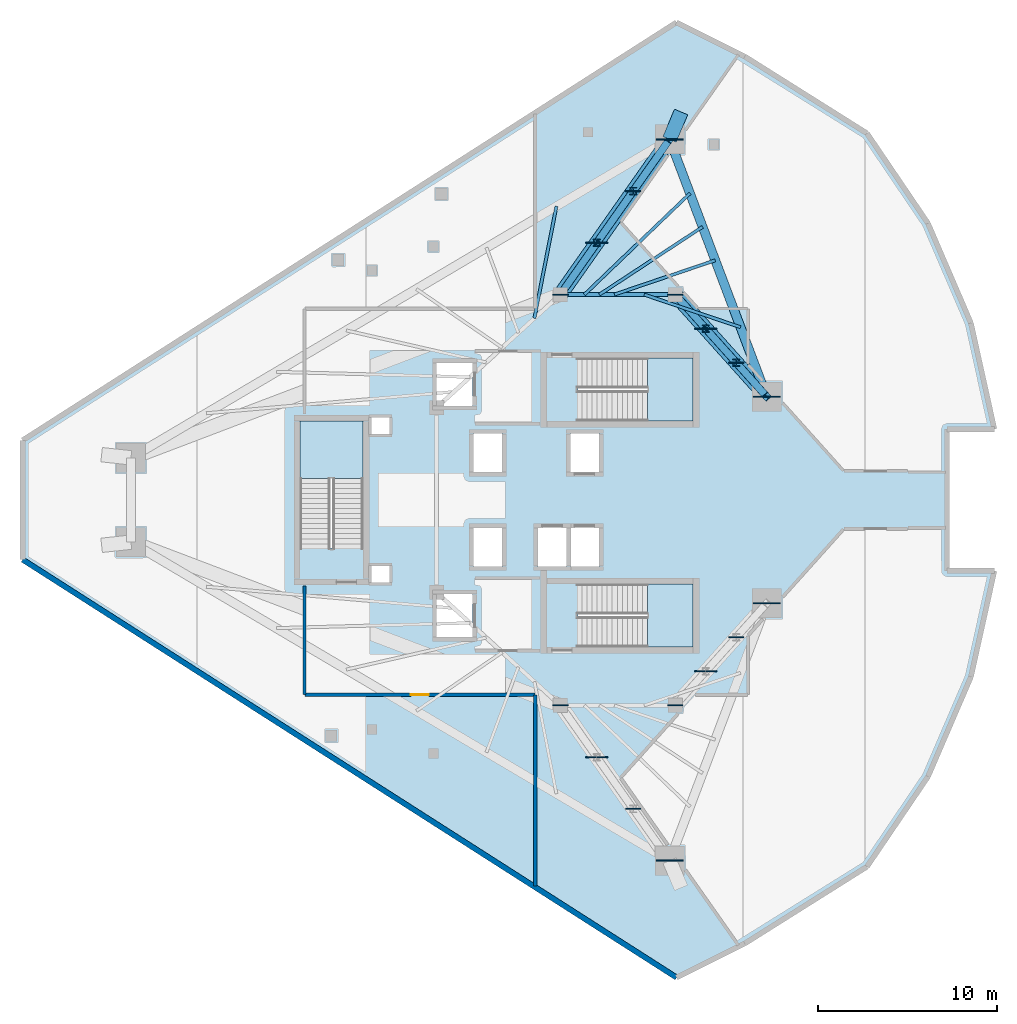
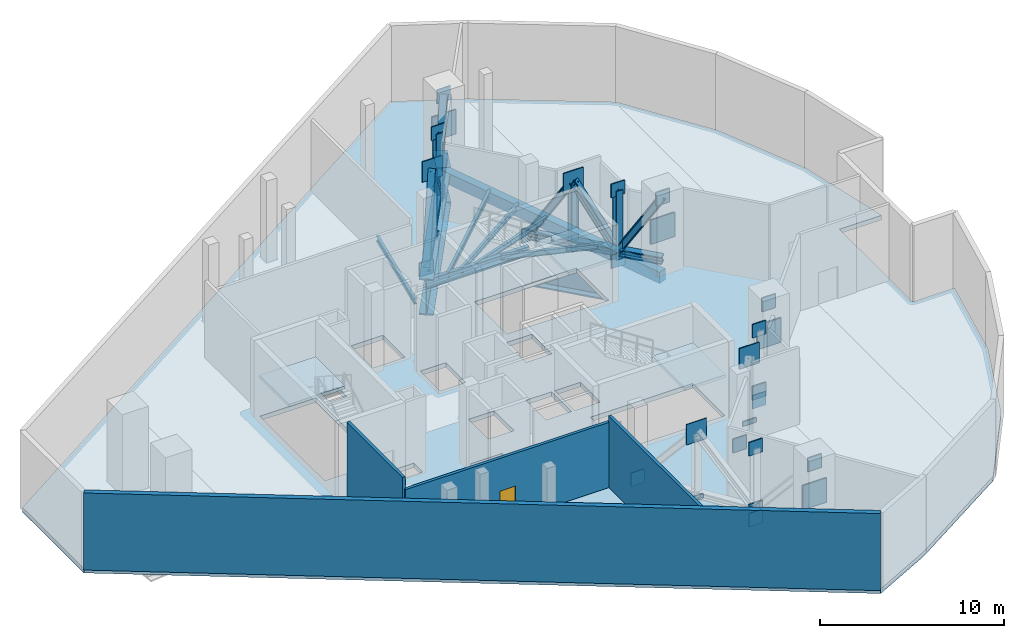
# One storey, part 2 of 9: 32 plates, 16 members, 10 beams, 4 slabs, 4 walls, 1 door, 1 opening, 3 elements without a shape of their own.
"""IFC4 building model written with IfcOpenShell, lengths in metres."""

from ifc_helpers import new_model, si_unit, direction, frame, frame_2d, origin, origin_2d, place, context, subcontext, project, spatial, polyline, rectangle, i_section, outline, extrude, material, layer, layer_set, material_profile, profile_set, type_object, element, fill, aggregate, save


model = new_model("IFC4")

# Units and contexts
model_context = context("Model", 3, precision=1e-05, world=origin(), true_north=direction((0.0, 1.0)))
body_context = subcontext(model_context, "Body", "Model", "MODEL_VIEW")
ifc_project = project(units=[si_unit("LENGTHUNIT", "METRE"), si_unit("AREAUNIT", "SQUARE_METRE"), si_unit("VOLUMEUNIT", "CUBIC_METRE"), si_unit("PLANEANGLEUNIT", "RADIAN"), si_unit("MASSUNIT", "GRAM", prefix="KILO")], contexts=[model_context])

# Site, building, storey
site_placement = place(None, origin())
site = spatial("IfcSite", under=ifc_project, at=site_placement, CompositionType="ELEMENT")
building_placement = place(site_placement, origin())
building = spatial("IfcBuilding", under=site, at=building_placement, Name="Qorvath Tower", CompositionType="ELEMENT")
storey_placement = place(building_placement, frame((0.0, 0.0, 249.60009765625)))
storey = spatial("IfcBuildingStorey", under=building, at=storey_placement, Name="L58", CompositionType="ELEMENT", Elevation=249.60009765625)

# Beams
ifc_material_1 = material(Name="Steel ASTM A992 Grade 50", Category="steel")
ifc_material_profile_1 = material_profile(ifc_material_1, i_section(OverallWidth=0.22998046875, OverallDepth=0.616943359375, WebThickness=0.01318359375, FlangeThickness=0.022216796875, FilletRadius=0.014892578125, at=origin_2d()), Name="W24x94")
ifc_profile_set_1 = profile_set([ifc_material_profile_1], Name="Steel ASTM A992 Grade 50")
beam_type_1 = type_object("IfcBeamType", Name="BM-FG6", PredefinedType="BEAM", material=ifc_profile_set_1)
beam_1_placement = place(storey_placement, frame((-23.60009765625, 11.449951171875, -0.608642578125), z_axis=(1.0, 0.0, 0.0), x_axis=(0.0, 1.0, 0.0)))
element("IfcBeam", 1, at=beam_1_placement, inside=storey, type_object=beam_type_1, Name="Core Ring Girder CC1-CC2 L58", PredefinedType="BEAM", context=body_context, shape_type="SweptSolid", body=[
    extrude(i_section(OverallWidth=0.22998046875, OverallDepth=0.616943359375, WebThickness=0.01318359375, FlangeThickness=0.022216796875, FilletRadius=0.014892578125, at=origin_2d()), origin(), (0.0, 0.0, 1.0), 6.400146484375),
])
ifc_material_2 = material(Name="Steel ASTM A992 Grade 50", Category="steel")
ifc_material_profile_2 = material_profile(ifc_material_2, i_section(OverallWidth=0.1708984375, OverallDepth=0.35107421875, WebThickness=0.0068359375, FlangeThickness=0.009765625, FilletRadius=0.010009765625, at=origin_2d()), Name="W14x30")
ifc_profile_set_2 = profile_set([ifc_material_profile_2], Name="Steel ASTM A992 Grade 50")
beam_type_2 = type_object("IfcBeamType", Name="BM-FJ4", PredefinedType="JOIST", material=ifc_profile_set_2)
beam_2_placement = place(storey_placement, frame((-18.927978515625, 11.449951171875, -0.4755859375), z_axis=(0.947086298547, -0.32097903842, 0.0), x_axis=(0.32097903842, 0.947086298547, 0.0)))
element("IfcBeam", 2, at=beam_2_placement, inside=storey, type_object=beam_type_2, Name="Composite Floor Joist NE2 L58", PredefinedType="JOIST", context=body_context, shape_type="SweptSolid", body=[
    extrude(i_section(OverallWidth=0.1708984375, OverallDepth=0.35107421875, WebThickness=0.0068359375, FlangeThickness=0.009765625, FilletRadius=0.010009765625, at=origin_2d()), origin(), (0.0, 0.0, 1.0), 5.66796875),
])
beam_3_placement = place(storey_placement, frame((-20.592041015625, 11.449951171875, -0.4755859375), z_axis=(0.946863164885, 0.321636669216, 0.0), x_axis=(-0.321636669216, 0.946863164885, 0.0)))
element("IfcBeam", 3, at=beam_3_placement, inside=storey, type_object=beam_type_2, Name="Composite Floor Joist NE4 L58", PredefinedType="JOIST", context=body_context, shape_type="SweptSolid", body=[
    extrude(i_section(OverallWidth=0.1708984375, OverallDepth=0.35107421875, WebThickness=0.0068359375, FlangeThickness=0.009765625, FilletRadius=0.010009765625, at=origin_2d()), origin(), (0.0, 0.0, 1.0), 5.93896484375),
])
beam_4_placement = place(storey_placement, frame((-21.424072265625, 11.449951171875, -0.4755859375), z_axis=(0.835992964387, 0.548740160272, 0.0), x_axis=(-0.548740160272, 0.835992964387, 0.0)))
element("IfcBeam", 4, at=beam_4_placement, inside=storey, type_object=beam_type_2, Name="Composite Floor Joist NE5 L58", PredefinedType="JOIST", context=body_context, shape_type="SweptSolid", body=[
    extrude(i_section(OverallWidth=0.1708984375, OverallDepth=0.35107421875, WebThickness=0.0068359375, FlangeThickness=0.009765625, FilletRadius=0.010009765625, at=origin_2d()), origin(), (0.0, 0.0, 1.0), 6.879150390625),
])
beam_5_placement = place(storey_placement, frame((-22.256103515625, 11.449951171875, -0.4755859375), z_axis=(0.721625044611, 0.692284114356, 0.0), x_axis=(-0.692284114356, 0.721625044611, 0.0)))
element("IfcBeam", 5, at=beam_5_placement, inside=storey, type_object=beam_type_2, Name="Composite Floor Joist NE6 L58", PredefinedType="JOIST", context=body_context, shape_type="SweptSolid", body=[
    extrude(i_section(OverallWidth=0.1708984375, OverallDepth=0.35107421875, WebThickness=0.0068359375, FlangeThickness=0.009765625, FilletRadius=0.010009765625, at=origin_2d()), origin(), (0.0, 0.0, 1.0), 8.14599609375),
])
beam_6_placement = place(storey_placement, frame((-25.049072265625, 10.126953125, -0.4755859375), z_axis=(0.193040016911, 0.981190884523, 0.0), x_axis=(-0.981190884523, 0.193040016911, 0.0)))
element("IfcBeam", 6, at=beam_6_placement, inside=storey, type_object=beam_type_2, Name="Composite Floor Joist NW6 L58", PredefinedType="JOIST", context=body_context, shape_type="SweptSolid", body=[
    extrude(i_section(OverallWidth=0.1708984375, OverallDepth=0.35107421875, WebThickness=0.0068359375, FlangeThickness=0.009765625, FilletRadius=0.010009765625, at=origin_2d()), origin(), (0.0, 0.0, 1.0), 6.366455078125),
])
ifc_material_3 = material(Name="Concrete C45/55", Category="concrete")
ifc_material_profile_3 = material_profile(ifc_material_3, rectangle(XDim=0.5, YDim=0.75, at=origin_2d()), Name="RCB 750x500")
ifc_profile_set_3 = profile_set([ifc_material_profile_3], Name="Concrete C45/55")
beam_type_3 = type_object("IfcBeamType", Name="BM-RCB3", PredefinedType="SPANDREL", material=ifc_profile_set_3)
beam_7_placement = place(storey_placement, frame((-12.0966796875, 5.7578125, -0.675048828125), z_axis=(-0.353397781952, 0.935473146441, 0.0), x_axis=(-0.935473146441, -0.353397781952, 0.0)))
element("IfcBeam", 7, at=beam_7_placement, inside=storey, type_object=beam_type_3, Name="Perimeter Loggia Frame Beam MC5-MC6 L58", PredefinedType="SPANDREL", context=body_context, shape_type="SweptSolid", body=[
    extrude(rectangle(XDim=0.5, YDim=0.75, at=origin_2d()), origin(), (0.0, 0.0, 1.0), 15.333251953125),
])
ifc_material_4 = material(Name="Steel ASTM A572 Grade 50", Category="steel")
ifc_material_profile_4 = material_profile(ifc_material_4, i_section(OverallWidth=0.800048828125, OverallDepth=2.39990234375, WebThickness=0.044921875, FlangeThickness=0.090087890625, FilletRadius=0.02490234375, at=origin_2d()), Name="WTG 2400x800")
ifc_profile_set_4 = profile_set([ifc_material_profile_4], Name="Steel ASTM A572 Grade 50")
beam_type_4 = type_object("IfcBeamType", Name="BM-TG2", PredefinedType="BEAM", material=ifc_profile_set_4)
beam_8_placement = place(storey_placement, frame((-12.0966796875, 5.7578125, -1.5), z_axis=(-0.667543184261, 0.744571082669, 0.0), x_axis=(-0.744571082669, -0.667543184261, 0.0)))
element("IfcBeam", 8, at=beam_8_placement, inside=storey, type_object=beam_type_4, Name="Zone Step Transfer Girder CC2-MC5 L58", PredefinedType="BEAM", context=body_context, shape_type="SweptSolid", body=[
    extrude(i_section(OverallWidth=0.800048828125, OverallDepth=2.39990234375, WebThickness=0.044921875, FlangeThickness=0.090087890625, FilletRadius=0.02490234375, at=origin_2d()), origin(), (0.0, 0.0, 1.0), 7.644775390625),
])
beam_9_placement = place(storey_placement, frame((-16.87158203125, 21.627197265625, -1.5), z_axis=(-0.38878850683, -0.921327030406, 0.0), x_axis=(0.921327030406, -0.38878850683, 0.0)))
element("IfcBeam", 9, at=beam_9_placement, inside=storey, type_object=beam_type_4, Name="Zone Step Transfer Tie MC6 L58", PredefinedType="BEAM", context=body_context, shape_type="SweptSolid", body=[
    extrude(i_section(OverallWidth=0.800048828125, OverallDepth=2.39990234375, WebThickness=0.044921875, FlangeThickness=0.090087890625, FilletRadius=0.02490234375, at=origin_2d()), origin(), (0.0, 0.0, 1.0), 1.656005859375),
])
beam_10_placement = place(storey_placement, frame((-17.515380859375, 20.1015625, -1.5), z_axis=(-0.575274974004, -0.81796008722, 0.0), x_axis=(0.81796008722, -0.575274974004, 0.0)))
element("IfcBeam", 10, at=beam_10_placement, inside=storey, type_object=beam_type_4, Name="Zone Step Transfer Girder CC1-MC6 L58", PredefinedType="BEAM", context=body_context, shape_type="SweptSolid", body=[
    extrude(i_section(OverallWidth=0.800048828125, OverallDepth=2.39990234375, WebThickness=0.044921875, FlangeThickness=0.090087890625, FilletRadius=0.02490234375, at=origin_2d()), origin(), (0.0, 0.0, 1.0), 10.5771484375),
])

# Members
ifc_material_5 = material(Name="Steel ASTM A913 Grade 65", Category="steel")
ifc_material_profile_5 = material_profile(ifc_material_5, i_section(OverallWidth=0.4189453125, OverallDepth=0.455078125, WebThickness=0.0419921875, FlangeThickness=0.067626953125, FilletRadius=0.02490234375, at=origin_2d()), Name="W14x370")
ifc_profile_set_5 = profile_set([ifc_material_profile_5], Name="Steel ASTM A913 Grade 65")
member_type_1 = type_object("IfcMemberType", Name="MEM-OT2", PredefinedType="CHORD", material=ifc_profile_set_5)
member_1_placement = place(storey_placement, frame((-23.60009765625, 11.449951171875, 0.449951171875), z_axis=(0.575268694935, 0.817964503281, 0.0), x_axis=(-0.817964503281, 0.575268694935, 0.0)))
element("IfcMember", 11, at=member_1_placement, inside=storey, type_object=member_type_1, Name="Outrigger and Belt Truss Bottom Chord OB3-1.1", PredefinedType="CHORD", context=body_context, shape_type="SweptSolid", body=[
    extrude(i_section(OverallWidth=0.4189453125, OverallDepth=0.455078125, WebThickness=0.0419921875, FlangeThickness=0.067626953125, FilletRadius=0.02490234375, at=origin_2d()), origin(), (0.0, 0.0, 1.0), 3.52587890625),
])
for number, where, z_axis, x_axis, name in (
    (12, (-21.57177734375, 14.333984375, 0.449951171875), (0.575254947697, 0.817974171445, 0.0), (-0.817974171445, 0.575254947697, 0.0), "Outrigger and Belt Truss Bottom Chord OB3-1.2"),
    (13, (-19.543701171875, 17.2177734375, 0.449951171875), (0.575301278452, 0.817941586552, 0.0), (-0.817941586552, 0.575301278452, 0.0), "Outrigger and Belt Truss Bottom Chord OB3-1.3"),
):
    element("IfcMember", number, at=place(storey_placement, frame(where, z_axis=z_axis, x_axis=x_axis)), inside=storey, type_object=member_type_1, Name=name, PredefinedType="CHORD", context=body_context, shape_type="SweptSolid", body=[
        extrude(i_section(OverallWidth=0.4189453125, OverallDepth=0.455078125, WebThickness=0.0419921875, FlangeThickness=0.067626953125, FilletRadius=0.02490234375, at=origin_2d()), origin(), (0.0, 0.0, 1.0), 3.525634765625),
    ])
member_2_placement = place(storey_placement, frame((-17.199951171875, 11.449951171875, 0.449951171875), z_axis=(0.66753952077, -0.744574367146, 0.0), x_axis=(0.744574367146, 0.66753952077, 0.0)))
element("IfcMember", 14, at=member_2_placement, inside=storey, type_object=member_type_1, Name="Outrigger and Belt Truss Bottom Chord OB3-2.1", PredefinedType="CHORD", context=body_context, shape_type="SweptSolid", body=[
    extrude(i_section(OverallWidth=0.4189453125, OverallDepth=0.455078125, WebThickness=0.0419921875, FlangeThickness=0.067626953125, FilletRadius=0.02490234375, at=origin_2d()), origin(), (0.0, 0.0, 1.0), 2.548095703125),
])
for number, where, z_axis, x_axis, name in (
    (15, (-15.4990234375, 9.552734375, 0.449951171875), (0.667545015752, -0.744569440646, 0.0), (0.744569440646, 0.667545015752, 0.0), "Outrigger and Belt Truss Bottom Chord OB3-2.2"),
    (16, (-13.7978515625, 7.6552734375, 0.449951171875), (0.667545015752, -0.744569440646, 0.0), (0.744569440646, 0.667545015752, 0.0), "Outrigger and Belt Truss Bottom Chord OB3-2.3"),
):
    element("IfcMember", number, at=place(storey_placement, frame(where, z_axis=z_axis, x_axis=x_axis)), inside=storey, type_object=member_type_1, Name=name, PredefinedType="CHORD", context=body_context, shape_type="SweptSolid", body=[
        extrude(i_section(OverallWidth=0.4189453125, OverallDepth=0.455078125, WebThickness=0.0419921875, FlangeThickness=0.067626953125, FilletRadius=0.02490234375, at=origin_2d()), origin(), (0.0, 0.0, 1.0), 2.54833984375),
    ])
ifc_material_6 = material(Name="Steel ASTM A913 Grade 65", Category="steel")
ifc_material_profile_6 = material_profile(ifc_material_6, i_section(OverallWidth=0.406005859375, OverallDepth=0.416015625, WebThickness=0.02978515625, FlangeThickness=0.048095703125, FilletRadius=0.02490234375, at=origin_2d()), Name="W14x257")
ifc_profile_set_6 = profile_set([ifc_material_profile_6], Name="Steel ASTM A913 Grade 65")
member_type_2 = type_object("IfcMemberType", Name="MEM-OT3", PredefinedType="BRACE", material=ifc_profile_set_6)
for number, where, z_axis, x_axis, name in (
    (17, (-21.57177734375, 14.333984375, -0.150146484375), (0.0, 0.0, 1.0), (1.0, 0.0, 0.0), "Outrigger and Belt Truss Post OB3-1.1"),
    (18, (-19.543701171875, 17.2177734375, -0.150146484375), (0.0, 0.0, 1.0), (1.0, 0.0, 0.0), "Outrigger and Belt Truss Post OB3-1.2"),
):
    element("IfcMember", number, at=place(storey_placement, frame(where, z_axis=z_axis, x_axis=x_axis)), inside=storey, type_object=member_type_2, Name=name, PredefinedType="BRACE", context=body_context, shape_type="SweptSolid", body=[
        extrude(i_section(OverallWidth=0.406005859375, OverallDepth=0.416015625, WebThickness=0.02978515625, FlangeThickness=0.048095703125, FilletRadius=0.02490234375, at=origin_2d()), origin(), (0.0, 0.0, 1.0), 4.699951171875),
    ])
member_3_placement = place(storey_placement, frame((-23.60009765625, 11.449951171875, 0.449951171875), z_axis=(0.375097286446, 0.533344275974, 0.758185932992), x_axis=(-0.817964503281, 0.575268694935, 0.0)))
element("IfcMember", 19, at=member_3_placement, inside=storey, type_object=member_type_2, Name="Outrigger and Belt Truss Web Diagonal OB3-1.1", PredefinedType="BRACE", context=body_context, shape_type="SweptSolid", body=[
    extrude(i_section(OverallWidth=0.406005859375, OverallDepth=0.416015625, WebThickness=0.02978515625, FlangeThickness=0.048095703125, FilletRadius=0.02490234375, at=origin_2d()), origin(), (0.0, 0.0, 1.0), 5.407470703125),
])
for number, where, z_axis, x_axis, name in (
    (20, (-19.543701171875, 17.2177734375, 0.449951171875), (-0.375067520525, -0.533321000655, 0.758217030478), (0.817974171445, -0.575254947697, 0.0), "Outrigger and Belt Truss Web Diagonal OB3-1.2"),
    (21, (-19.543701171875, 17.2177734375, 0.449951171875), (0.375106318704, 0.533311968768, 0.758204189936), (-0.817941586552, 0.575301278452, 0.0), "Outrigger and Belt Truss Web Diagonal OB3-1.3"),
):
    element("IfcMember", number, at=place(storey_placement, frame(where, z_axis=z_axis, x_axis=x_axis)), inside=storey, type_object=member_type_2, Name=name, PredefinedType="BRACE", context=body_context, shape_type="SweptSolid", body=[
        extrude(i_section(OverallWidth=0.406005859375, OverallDepth=0.416015625, WebThickness=0.02978515625, FlangeThickness=0.048095703125, FilletRadius=0.02490234375, at=origin_2d()), origin(), (0.0, 0.0, 1.0), 5.4072265625),
    ])
for number, where, z_axis, x_axis, name in (
    (22, (-15.4990234375, 9.552734375, -0.150146484375), (0.0, 0.0, 1.0), (1.0, 0.0, 0.0), "Outrigger and Belt Truss Post OB3-2.1"),
    (23, (-13.7978515625, 7.6552734375, -0.150146484375), (0.0, 0.0, 1.0), (1.0, 0.0, 0.0), "Outrigger and Belt Truss Post OB3-2.2"),
):
    element("IfcMember", number, at=place(storey_placement, frame(where, z_axis=z_axis, x_axis=x_axis)), inside=storey, type_object=member_type_2, Name=name, PredefinedType="BRACE", context=body_context, shape_type="SweptSolid", body=[
        extrude(i_section(OverallWidth=0.406005859375, OverallDepth=0.416015625, WebThickness=0.02978515625, FlangeThickness=0.048095703125, FilletRadius=0.02490234375, at=origin_2d()), origin(), (0.0, 0.0, 1.0), 4.699951171875),
    ])
member_4_placement = place(storey_placement, frame((-17.199951171875, 11.449951171875, 0.449951171875), z_axis=(0.352366805596, -0.39303034969, 0.849331960152), x_axis=(0.744574367146, 0.66753952077, 0.0)))
element("IfcMember", 24, at=member_4_placement, inside=storey, type_object=member_type_2, Name="Outrigger and Belt Truss Web Diagonal OB3-2.1", PredefinedType="BRACE", context=body_context, shape_type="SweptSolid", body=[
    extrude(i_section(OverallWidth=0.406005859375, OverallDepth=0.416015625, WebThickness=0.02978515625, FlangeThickness=0.048095703125, FilletRadius=0.02490234375, at=origin_2d()), origin(), (0.0, 0.0, 1.0), 4.8271484375),
])
for number, where, z_axis, x_axis, name in (
    (25, (-13.7978515625, 7.6552734375, 0.449951171875), (-0.352404095994, 0.393066107071, 0.849299940303), (-0.744569440646, -0.667545015752, 0.0), "Outrigger and Belt Truss Web Diagonal OB3-2.2"),
    (26, (-13.7978515625, 7.6552734375, 0.449951171875), (0.352404095994, -0.393066107071, 0.849299940303), (0.744569440646, 0.667545015752, 0.0), "Outrigger and Belt Truss Web Diagonal OB3-2.3"),
):
    element("IfcMember", number, at=place(storey_placement, frame(where, z_axis=z_axis, x_axis=x_axis)), inside=storey, type_object=member_type_2, Name=name, PredefinedType="BRACE", context=body_context, shape_type="SweptSolid", body=[
        extrude(i_section(OverallWidth=0.406005859375, OverallDepth=0.416015625, WebThickness=0.02978515625, FlangeThickness=0.048095703125, FilletRadius=0.02490234375, at=origin_2d()), origin(), (0.0, 0.0, 1.0), 4.827392578125),
    ])

# Plates
ifc_material_7 = material(Name="Steel ASTM A572 Grade 50", Category="steel")
ifc_layer_1 = layer(ifc_material_7, 0.06005859375)
ifc_layer_set_1 = layer_set([ifc_layer_1], Name="PL-BN1")
plate_type_1 = type_object("IfcPlateType", Name="PL-BN1", PredefinedType="USERDEFINED", material=ifc_layer_set_1)
for number, where, z_axis, x_axis, name in (
    (27, (-21.57177734375, 14.333984375, 3.874755859375), (0.0, 0.0, 1.0), (1.0, 0.0, 0.0), "Outrigger Panel Node Gusset OB3-1"),
    (28, (-15.4990234375, 9.552734375, 3.874755859375), (0.0, 0.0, 1.0), (1.0, 0.0, 0.0), "Outrigger Panel Node Gusset OB3-2"),
    (29, (-15.4990234375, -9.552734375, 3.874755859375), (0.0, 0.0, 1.0), (1.0, 0.0, 0.0), "Outrigger Panel Node Gusset OB3-3"),
    (30, (-21.57177734375, -14.333984375, 3.874755859375), (0.0, 0.0, 1.0), (1.0, 0.0, 0.0), "Outrigger Panel Node Gusset OB3-4"),
):
    element("IfcPlate", number, at=place(storey_placement, frame(where, z_axis=z_axis, x_axis=x_axis)), inside=storey, type_object=plate_type_1, Name=name, ObjectType="GUSSET", PredefinedType="USERDEFINED", context=body_context, shape_type="SweptSolid", body=[
        extrude(rectangle(XDim=1.25, YDim=0.06005859375, at=origin_2d()), origin(), (0.0, 0.0, 1.0), 1.35009765625),
    ])
for number, where, z_axis, x_axis, name in (
    (31, (-21.57177734375, 14.333984375, -0.60009765625), (0.0, 0.0, 1.0), (1.0, 0.0, 0.0), "Brace Strut End Gusset Plate NDBG-049"),
    (32, (-19.543701171875, 17.2177734375, -0.60009765625), (0.0, 0.0, 1.0), (1.0, 0.0, 0.0), "Brace Strut End Gusset Plate NDBG-050"),
    (33, (-19.543701171875, 17.2177734375, 4.099853515625), (0.0, 0.0, 1.0), (1.0, 0.0, 0.0), "Brace Strut End Gusset Plate NDBG-051"),
    (34, (-23.60009765625, 11.449951171875, 0.0), (0.0, 0.0, 1.0), (1.0, 0.0, 0.0), "Brace Strut End Gusset Plate NDBG-052"),
    (35, (-19.543701171875, 17.2177734375, 0.0), (0.0, 0.0, 1.0), (1.0, 0.0, 0.0), "Brace Strut End Gusset Plate NDBG-053"),
    (36, (-17.515380859375, 20.1015625, 4.099853515625), (0.0, 0.0, 1.0), (1.0, 0.0, 0.0), "Brace Strut End Gusset Plate NDBG-054"),
    (37, (-15.4990234375, 9.552734375, -0.60009765625), (0.0, 0.0, 1.0), (1.0, 0.0, 0.0), "Brace Strut End Gusset Plate NDBG-055"),
    (38, (-13.7978515625, 7.6552734375, -0.60009765625), (0.0, 0.0, 1.0), (1.0, 0.0, 0.0), "Brace Strut End Gusset Plate NDBG-056"),
    (39, (-13.7978515625, 7.6552734375, 4.099853515625), (0.0, 0.0, 1.0), (1.0, 0.0, 0.0), "Brace Strut End Gusset Plate NDBG-057"),
    (40, (-17.199951171875, 11.449951171875, 0.0), (0.0, 0.0, 1.0), (1.0, 0.0, 0.0), "Brace Strut End Gusset Plate NDBG-058"),
    (41, (-13.7978515625, 7.6552734375, 0.0), (0.0, 0.0, 1.0), (1.0, 0.0, 0.0), "Brace Strut End Gusset Plate NDBG-059"),
    (42, (-12.0966796875, 5.7578125, 4.099853515625), (0.0, 0.0, 1.0), (1.0, 0.0, 0.0), "Brace Strut End Gusset Plate NDBG-060"),
    (43, (-15.4990234375, -9.552734375, -0.60009765625), (0.0, 0.0, 1.0), (1.0, 0.0, 0.0), "Brace Strut End Gusset Plate NDBG-061"),
    (44, (-13.7978515625, -7.6552734375, -0.60009765625), (0.0, 0.0, 1.0), (1.0, 0.0, 0.0), "Brace Strut End Gusset Plate NDBG-062"),
    (45, (-13.7978515625, -7.6552734375, 4.099853515625), (0.0, 0.0, 1.0), (1.0, 0.0, 0.0), "Brace Strut End Gusset Plate NDBG-063"),
    (46, (-17.199951171875, -11.449951171875, 0.0), (0.0, 0.0, 1.0), (1.0, 0.0, 0.0), "Brace Strut End Gusset Plate NDBG-064"),
    (47, (-13.7978515625, -7.6552734375, 0.0), (0.0, 0.0, 1.0), (1.0, 0.0, 0.0), "Brace Strut End Gusset Plate NDBG-065"),
    (48, (-12.0966796875, -5.7578125, 4.099853515625), (0.0, 0.0, 1.0), (1.0, 0.0, 0.0), "Brace Strut End Gusset Plate NDBG-066"),
    (49, (-21.57177734375, -14.333984375, -0.60009765625), (0.0, 0.0, 1.0), (1.0, 0.0, 0.0), "Brace Strut End Gusset Plate NDBG-067"),
    (50, (-19.543701171875, -17.2177734375, -0.60009765625), (0.0, 0.0, 1.0), (1.0, 0.0, 0.0), "Brace Strut End Gusset Plate NDBG-068"),
    (51, (-19.543701171875, -17.2177734375, 4.099853515625), (0.0, 0.0, 1.0), (1.0, 0.0, 0.0), "Brace Strut End Gusset Plate NDBG-069"),
    (52, (-23.60009765625, -11.449951171875, 0.0), (0.0, 0.0, 1.0), (1.0, 0.0, 0.0), "Brace Strut End Gusset Plate NDBG-070"),
    (53, (-19.543701171875, -17.2177734375, 0.0), (0.0, 0.0, 1.0), (1.0, 0.0, 0.0), "Brace Strut End Gusset Plate NDBG-071"),
    (54, (-17.515380859375, -20.1015625, 4.099853515625), (0.0, 0.0, 1.0), (1.0, 0.0, 0.0), "Brace Strut End Gusset Plate NDBG-072"),
):
    element("IfcPlate", number, at=place(storey_placement, frame(where, z_axis=z_axis, x_axis=x_axis)), inside=storey, type_object=plate_type_1, Name=name, ObjectType="GUSSET", PredefinedType="USERDEFINED", context=body_context, shape_type="SweptSolid", body=[
        extrude(rectangle(XDim=0.85009765625, YDim=0.06005859375, at=origin_2d()), origin(), (0.0, 0.0, 1.0), 0.89990234375),
    ])
ifc_material_8 = material(Name="Steel ASTM A572 Grade 50", Category="steel")
ifc_layer_2 = layer(ifc_material_8, 0.074951171875)
ifc_layer_set_2 = layer_set([ifc_layer_2], Name="PL-ON1")
plate_type_2 = type_object("IfcPlateType", Name="PL-ON1", PredefinedType="USERDEFINED", material=ifc_layer_set_2)
for number, where, z_axis, x_axis, name in (
    (55, (-17.515380859375, 20.1015625, 1.69970703125), (0.0, 0.0, 1.0), (1.0, 0.0, 0.0), "Outrigger Gusset Plate OB3-1"),
    (56, (-12.0966796875, 5.7578125, 1.69970703125), (0.0, 0.0, 1.0), (1.0, 0.0, 0.0), "Outrigger Gusset Plate OB3-2"),
    (57, (-12.0966796875, -5.7578125, 1.69970703125), (0.0, 0.0, 1.0), (1.0, 0.0, 0.0), "Outrigger Gusset Plate OB3-3"),
    (58, (-17.515380859375, -20.1015625, 1.69970703125), (0.0, 0.0, 1.0), (1.0, 0.0, 0.0), "Outrigger Gusset Plate OB3-4"),
):
    element("IfcPlate", number, at=place(storey_placement, frame(where, z_axis=z_axis, x_axis=x_axis)), inside=storey, type_object=plate_type_2, Name=name, ObjectType="GUSSET", PredefinedType="USERDEFINED", context=body_context, shape_type="SweptSolid", body=[
        extrude(rectangle(XDim=1.5, YDim=0.074951171875, at=origin_2d()), origin(), (0.0, 0.0, 1.0), 1.60009765625),
    ])

# Stair, slab
ifc_material_9 = material(Name="Concrete C50/60", Category="concrete")
stair_type = type_object("IfcStairType", Name="ST-H540", PredefinedType="HALF_TURN_STAIR", material=ifc_material_9)
stair_1_placement = place(storey_placement, origin())
stair_1 = element("IfcStair", 59, at=stair_1_placement, inside=storey, type_object=stair_type, Name="L58 Tower Exit Stair 1", PredefinedType="HALF_TURN_STAIR")
ifc_material_10 = material(Name="Concrete C50/60", Category="concrete")
ifc_layer_3 = layer(ifc_material_10, 0.199951171875)
ifc_layer_set_3 = layer_set([ifc_layer_3], Name="SL-LND-200")
slab_type_1 = type_object("IfcSlabType", Name="SL-LND-200", PredefinedType="LANDING", material=ifc_layer_set_3)
slab_1_placement = place(storey_placement, frame((0.0, 0.0, 2.5)))
slab_1 = element("IfcSlab", 60, at=slab_1_placement, type_object=slab_type_1, Name="TS1 landing 1", PredefinedType="LANDING", context=body_context, shape_type="SweptSolid", body=[
    extrude(outline(polyline([(-18.75, 4.39990234375), (-16.199951171875, 4.39990234375), (-16.199951171875, 7.909912109375), (-18.75, 7.909912109375), (-18.75, 4.39990234375)])), origin(), (0.0, 0.0, 1.0), 0.199951171875),
])
aggregate(stair_1, [slab_1])

stair_2_placement = place(storey_placement, origin())
stair_2 = element("IfcStair", 61, at=stair_2_placement, inside=storey, type_object=stair_type, Name="L58 Tower Exit Stair 2", PredefinedType="HALF_TURN_STAIR")
slab_2_placement = place(storey_placement, frame((0.0, 0.0, 2.5)))
slab_2 = element("IfcSlab", 62, at=slab_2_placement, type_object=slab_type_1, Name="TS2 landing 1", PredefinedType="LANDING", context=body_context, shape_type="SweptSolid", body=[
    extrude(outline(polyline([(-18.75, -8.199951171875), (-16.199951171875, -8.199951171875), (-16.199951171875, -4.68994140625), (-18.75, -4.68994140625), (-18.75, -8.199951171875)])), origin(), (0.0, 0.0, 1.0), 0.199951171875),
])
aggregate(stair_2, [slab_2])

stair_3_placement = place(storey_placement, origin())
stair_3 = element("IfcStair", 63, at=stair_3_placement, inside=storey, type_object=stair_type, Name="L58 Tower Exit Stair 3", PredefinedType="HALF_TURN_STAIR")
slab_3_placement = place(storey_placement, frame((0.0, 0.0, 2.5)))
slab_3 = element("IfcSlab", 64, at=slab_3_placement, type_object=slab_type_1, Name="TS3 landing 1", PredefinedType="LANDING", context=body_context, shape_type="SweptSolid", body=[
    extrude(outline(polyline([(-34.60009765625, 1.199951171875), (-34.60009765625, 4.39990234375), (-38.110107421875, 4.39990234375), (-38.110107421875, 1.199951171875), (-34.60009765625, 1.199951171875)])), origin(), (0.0, 0.0, 1.0), 0.199951171875),
])
aggregate(stair_3, [slab_3])

# Slab
ifc_material_11 = material(Name="Concrete C50/60", Category="concrete")
ifc_layer_4 = layer(ifc_material_11, 0.300048828125)
ifc_layer_set_4 = layer_set([ifc_layer_4], Name="SL-PLANT-300")
slab_type_2 = type_object("IfcSlabType", Name="SL-PLANT-300", PredefinedType="FLOOR", material=ifc_layer_set_4)
slab_4_placement = place(storey_placement, frame((0.0, 0.0, -0.300048828125)))
element("IfcSlab", 65, at=slab_4_placement, inside=storey, type_object=slab_type_2, Name="Tower L58 Interior Floor Slab", PredefinedType="FLOOR", context=body_context, shape_type="SweptSolid", body=[
    extrude(outline(polyline([(-53.5712890625, 3.32763671875), (-53.5712890625, -3.32763671875), (-17.12646484375, -26.62060546875), (-13.323486328125, -24.71923828125), (-6.509765625, -20.433837890625), (-3.114990234375, -15.42236328125), (-0.72119140625, -9.86279296875), (0.5869140625, -3.952880859375), (-2.04833984375, -3.952880859375), (-2.04833984375, 3.952880859375), (0.5869140625, 3.952880859375), (-0.72119140625, 9.86279296875), (-3.114990234375, 15.42236328125), (-6.509765625, 20.433837890625), (-13.323486328125, 24.71923828125), (-17.12646484375, 26.62060546875), (-53.5712890625, 3.32763671875)]), holes=[polyline([(-16.2451171875, -8.199951171875), (-22.625, -8.199951171875), (-22.625, -4.68994140625), (-16.2451171875, -4.68994140625), (-16.2451171875, -8.199951171875)]), polyline([(-22.625, 4.39990234375), (-22.625, 7.909912109375), (-16.2451171875, 7.909912109375), (-16.2451171875, 4.39990234375), (-22.625, 4.39990234375)]), polyline([(-21.449951171875, -3.699951171875), (-23.050048828125, -3.699951171875), (-23.050048828125, -1.550048828125), (-21.449951171875, -1.550048828125), (-21.449951171875, -3.699951171875)]), polyline([(-23.050048828125, 1.550048828125), (-23.050048828125, 3.699951171875), (-21.449951171875, 3.699951171875), (-21.449951171875, 1.550048828125), (-23.050048828125, 1.550048828125)]), polyline([(-24.85009765625, -3.699951171875), (-24.85009765625, -1.550048828125), (-23.25, -1.550048828125), (-23.25, -3.699951171875), (-24.85009765625, -3.699951171875)]), polyline([(-28.449951171875, -3.699951171875), (-28.449951171875, -1.550048828125), (-26.85009765625, -1.550048828125), (-26.85009765625, -3.699951171875), (-28.449951171875, -3.699951171875)]), polyline([(-26.85009765625, 1.550048828125), (-28.449951171875, 1.550048828125), (-28.449951171875, 3.699951171875), (-26.85009765625, 3.699951171875), (-26.85009765625, 1.550048828125)]), polyline([(-28.5, -7.64990234375), (-30.5, -7.64990234375), (-30.5, -5.25), (-28.5, -5.25), (-28.5, -7.64990234375)]), polyline([(-30.5, 5.25), (-30.5, 7.64990234375), (-28.5, 7.64990234375), (-28.5, 5.25), (-30.5, 5.25)]), polyline([(-34.14990234375, -4.6201171875), (-34.14990234375, -3.64990234375), (-33.10009765625, -3.64990234375), (-33.10009765625, -4.6201171875), (-34.14990234375, -4.6201171875)]), polyline([(-34.14990234375, 3.64990234375), (-34.14990234375, 4.6201171875), (-33.10009765625, 4.6201171875), (-33.10009765625, 3.64990234375), (-34.14990234375, 3.64990234375)]), polyline([(-34.60009765625, -2.675048828125), (-38.110107421875, -2.675048828125), (-38.110107421875, 4.35498046875), (-34.60009765625, 4.35498046875), (-34.60009765625, -2.675048828125)])]), origin(), (0.0, 0.0, 1.0), 0.300048828125),
])

# Wall, opening, door
ifc_material_12 = material(Name="Gypsum shaftliner on steel studs", Category="steel")
ifc_layer_5 = layer(ifc_material_12, 0.179931640625)
ifc_layer_set_5 = layer_set([ifc_layer_5], Name="FW-LOBBY")
wall_type_1 = type_object("IfcWallType", Name="FW-LOBBY", PredefinedType="PARTITIONING", material=ifc_layer_set_5)
wall_1_placement = place(storey_placement, frame((-37.8330078125, -10.85791015625, 0.0), z_axis=(0.0, 0.0, 1.0), x_axis=(1.0, 0.0, 0.0)))
wall_1 = element("IfcWall", 66, at=wall_1_placement, inside=storey, type_object=wall_type_1, Name="Interior Partition IW-T1-L58-005", PredefinedType="PARTITIONING", context=body_context, shape_type="SweptSolid", body=[
    extrude(rectangle(XDim=12.80810546875, YDim=0.179931640625, at=frame_2d((6.404052734375, 0.0))), origin(), (0.0, 0.0, 1.0), 4.31982421875),
])
opening_placement = place(wall_1_placement, frame((5.904052734375, 0.0, 0.0)))
opening = element("IfcOpeningElement", 67, at=opening_placement, cuts=wall_1, Name="Opening D-T1-L58-01", PredefinedType="OPENING", context=body_context, shape_type="SweptSolid", body=[
    extrude(rectangle(XDim=1.0, YDim=2.14990234375, at=frame_2d((0.5, 1.074951171875))), frame((0.0, 0.10009765625, 0.0), z_axis=(0.0, -1.0, 0.0), x_axis=(1.0, 0.0, 0.0)), (0.0, 0.0, 1.0), 0.199951171875),
])
ifc_material_13 = material(Name="Painted galvanised hollow metal", Category="steel")
door_type = type_object("IfcDoorType", Name="FD-90B", OperationType="NOTDEFINED", PredefinedType="DOOR", material=ifc_material_13)
door_placement = place(opening_placement, origin())
door = element("IfcDoor", 68, at=door_placement, inside=storey, type_object=door_type, Name="Area of Refuge L58 Door D-T1-L58-01", OperationType="SINGLE_SWING_RIGHT", OverallHeight=2.14990234375, OverallWidth=1.0, PredefinedType="DOOR", context=body_context, shape_type="SweptSolid", body=[
    extrude(rectangle(XDim=1.0, YDim=2.14990234375, at=frame_2d((0.5, 1.074951171875))), frame((0.0, 0.02490234375, 0.0), z_axis=(0.0, -1.0, 0.0), x_axis=(1.0, 0.0, 0.0)), (0.0, 0.0, 1.0), 0.050048828125),
])
fill(opening, door)

# Walls
wall_2_placement = place(storey_placement, frame((-37.85791015625, -10.8330078125, 0.0), z_axis=(0.0, 0.0, 1.0), x_axis=(0.0, 1.0, 0.0)))
element("IfcWall", 69, at=wall_2_placement, inside=storey, type_object=wall_type_1, Name="Interior Partition IW-T1-L58-006", PredefinedType="PARTITIONING", context=body_context, shape_type="SweptSolid", body=[
    extrude(rectangle(XDim=6.0498046875, YDim=0.179931640625, at=frame_2d((3.02490234375, 0.0))), origin(), (0.0, 0.0, 1.0), 5.099853515625),
])
wall_3_placement = place(storey_placement, frame((-25.0, -21.508544921875, 0.0), z_axis=(0.0, 0.0, 1.0), x_axis=(0.0, 1.0, 0.0)))
element("IfcWall", 70, at=wall_3_placement, inside=storey, type_object=wall_type_1, Name="Interior Partition IW-T1-L58-010", PredefinedType="PARTITIONING", context=body_context, shape_type="SweptSolid", body=[
    extrude(rectangle(XDim=10.625732421875, YDim=0.179931640625, at=frame_2d((5.31298828125, 0.0))), origin(), (0.0, 0.0, 1.0), 4.71875),
])
ifc_material_14 = material(Name="Precast concrete C45/55", Category="concrete")
ifc_layer_6 = layer(ifc_material_14, 0.300048828125)
ifc_layer_set_6 = layer_set([ifc_layer_6], Name="WL-EW-LOG-300")
wall_type_2 = type_object("IfcWallType", Name="WL-EW-LOG-300", PredefinedType="SOLIDWALL", material=ifc_layer_set_6)
wall_4_placement = place(storey_placement, frame((-17.12646484375, -26.62060546875, 0.0), z_axis=(0.0, 0.0, 1.0), x_axis=(-0.842604196804, 0.538533348576, 0.0)))
element("IfcWall", 71, at=wall_4_placement, inside=storey, type_object=wall_type_2, Name="Tower Precast Loggia Wall L58-2.1", PredefinedType="SOLIDWALL", context=body_context, shape_type="SweptSolid", body=[
    extrude(rectangle(XDim=43.252685546875, YDim=0.300048828125, at=frame_2d((21.62646484375, 0.0))), origin(), (0.0, 0.0, 1.0), 5.099853515625),
])

save(model, "model.ifc")
